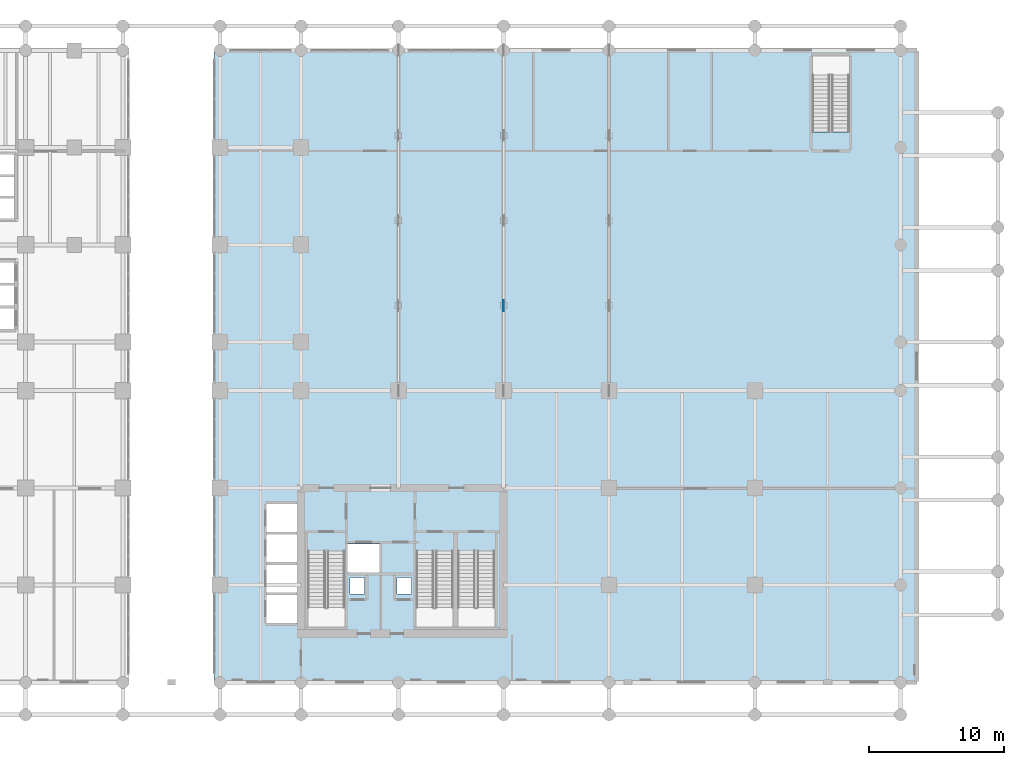
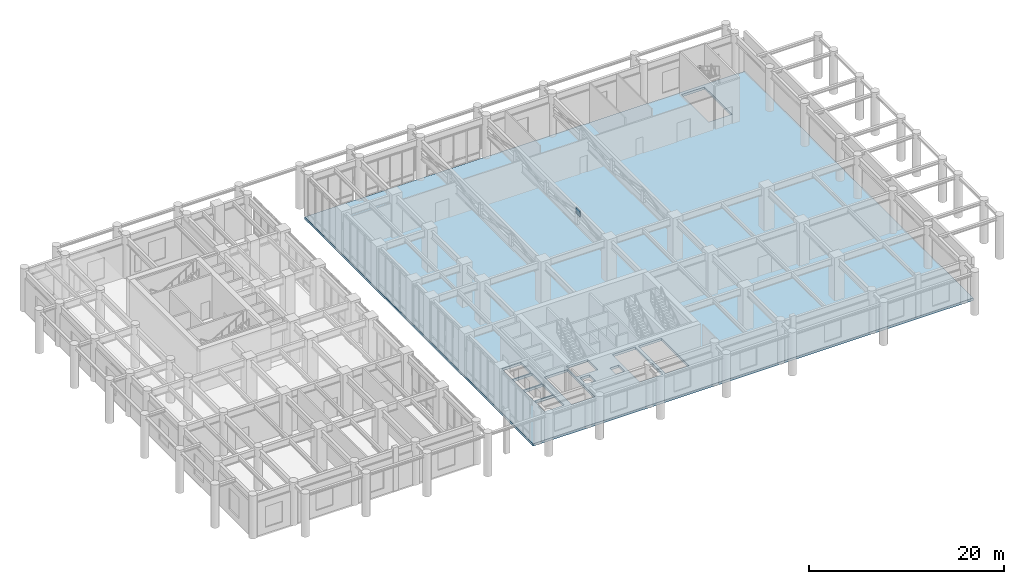
# One storey, part 13 of 24: 1 plate, 1 slab.
"""IFC4 building model written with IfcOpenShell, lengths in metres."""

from ifc_helpers import new_model, si_unit, derived_unit, direction, frame, origin, origin_2d, place, context, subcontext, project, spatial, polyline, rectangle, outline, extrude, source, transform, mapped, material, layer, layer_set, type_object, type_shapes, element, save


model = new_model("IFC4")

# Units and contexts
model_context = context("Model", 3, precision=1e-05, world=origin(), true_north=direction((0.0, 1.0)))
body_context = subcontext(model_context, "Body", "Model", "MODEL_VIEW")
ifc_project = project(units=[si_unit("LENGTHUNIT", "METRE"), si_unit("AREAUNIT", "SQUARE_METRE"), si_unit("VOLUMEUNIT", "CUBIC_METRE"), si_unit("PLANEANGLEUNIT", "RADIAN"), si_unit("MASSUNIT", "GRAM", prefix="KILO"), si_unit("THERMODYNAMICTEMPERATUREUNIT", "KELVIN"), si_unit("POWERUNIT", "WATT"), derived_unit("THERMALTRANSMITTANCEUNIT", [(si_unit("POWERUNIT", "WATT"), 1), (si_unit("AREAUNIT", "SQUARE_METRE"), -1), (si_unit("THERMODYNAMICTEMPERATUREUNIT", "KELVIN"), -1)])], contexts=[model_context])

# Site, building, storey
site_placement = place(None, origin())
site = spatial("IfcSite", under=ifc_project, at=site_placement, CompositionType="ELEMENT")
building_placement = place(site_placement, origin())
building = spatial("IfcBuilding", under=site, at=building_placement, Name="Zahravan Archway Hotel and Residences", CompositionType="ELEMENT")
storey_placement = place(building_placement, frame((0.0, 0.0, 10.800048828125)))
storey = spatial("IfcBuildingStorey", under=building, at=storey_placement, Name="L02", CompositionType="ELEMENT", Elevation=10.800048828125)

# Slab
ifc_material_1 = material(Name="Concrete C50/60", Category="concrete")
ifc_layer_1 = layer(ifc_material_1, 0.300048828125, Name="Concrete C50/60", Category="concrete")
ifc_layer_set_1 = layer_set([ifc_layer_1], Name="Concrete C50/60")
slab_type = type_object("IfcSlabType", Name="SLB-FLR-300", PredefinedType="FLOOR", material=ifc_layer_set_1)
slab_placement = place(storey_placement, frame((0.0, 0.0, -0.300048828125)))
element("IfcSlab", 1, at=slab_placement, inside=storey, type_object=slab_type, Name="L02 Floor Slab EAST", PredefinedType="FLOOR", context=body_context, shape_type="SweptSolid", body=[
    extrude(outline(polyline([(28.35009765625, 0.0), (80.39990234375, 0.0), (80.39990234375, 46.800048828125), (28.35009765625, 46.800048828125), (28.35009765625, 0.0)]), holes=[polyline([(35.300048828125, 9.72998046875), (35.300048828125, 4.10009765625), (38.0400390625, 4.10009765625), (38.0400390625, 9.72998046875), (35.300048828125, 9.72998046875)]), polyline([(43.320068359375, 9.72998046875), (43.320068359375, 4.10009765625), (46.06005859375, 4.10009765625), (46.06005859375, 9.72998046875), (43.320068359375, 9.72998046875)]), polyline([(46.39990234375, 9.72998046875), (46.39990234375, 4.10009765625), (49.139892578125, 4.10009765625), (49.139892578125, 9.72998046875), (46.39990234375, 9.72998046875)]), polyline([(75.39990234375, 40.77001953125), (75.39990234375, 46.39990234375), (72.659912109375, 46.39990234375), (72.659912109375, 40.77001953125), (75.39990234375, 40.77001953125)]), polyline([(38.179931640625, 8.14990234375), (40.699951171875, 8.14990234375), (40.699951171875, 10.25), (38.179931640625, 10.25), (38.179931640625, 8.14990234375)]), polyline([(32.25, 4.39990234375), (34.550048828125, 4.39990234375), (34.550048828125, 6.47998046875), (32.25, 6.47998046875), (32.25, 4.39990234375)]), polyline([(32.25, 6.639892578125), (34.550048828125, 6.639892578125), (34.550048828125, 8.719970703125), (32.25, 8.719970703125), (32.25, 6.639892578125)]), polyline([(32.25, 8.8798828125), (34.550048828125, 8.8798828125), (34.550048828125, 10.9599609375), (32.25, 10.9599609375), (32.25, 8.8798828125)]), polyline([(32.25, 11.1201171875), (34.550048828125, 11.1201171875), (34.550048828125, 13.199951171875), (32.25, 13.199951171875), (32.25, 11.1201171875)]), polyline([(38.419921875, 6.56005859375), (39.5, 6.56005859375), (39.5, 7.780029296875), (38.419921875, 7.780029296875), (38.419921875, 6.56005859375)]), polyline([(41.89990234375, 6.56005859375), (42.9599609375, 6.56005859375), (42.9599609375, 7.780029296875), (41.89990234375, 7.780029296875), (41.89990234375, 6.56005859375)])]), origin(), (0.0, 0.0, 1.0), 0.300048828125),
])

# Plate
ifc_material_2 = material(Name="Structural Steel S355J2", Category="steel")
ifc_layer_2 = layer(ifc_material_2, 0.035888671875, Name="Structural Steel S355J2", Category="steel")
ifc_layer_set_2 = layer_set([ifc_layer_2], Name="Structural Steel S355J2")
plate_type = type_object("IfcPlateType", Name="PLT-GUS-ON2", PredefinedType="USERDEFINED", material=ifc_layer_set_2)
shared_shape = source(origin(), body_context, "Body", "SweptSolid", [
    extrude(rectangle(XDim=0.800048828125, YDim=0.035888671875, at=origin_2d()), origin(), (0.0, 0.0, 1.0), 0.800048828125),
])
type_shapes(plate_type, [shared_shape])
plate_placement = place(storey_placement, frame((49.800048828125, 27.89990234375, 4.14990234375), z_axis=(0.0, 0.0, 1.0), x_axis=(0.0, 1.0, 0.0)))
element("IfcPlate", 2, at=plate_placement, inside=storey, type_object=plate_type, Name="L02 Transfer Truss Node Gusset ON2-2-2", ObjectType="GUSSET", PredefinedType="USERDEFINED", context=body_context, shape_type="MappedRepresentation", body=[
    mapped(shared_shape, transform((0.0, 0.0, 0.0), scale=1.0)),
])

save(model, "model.ifc")
